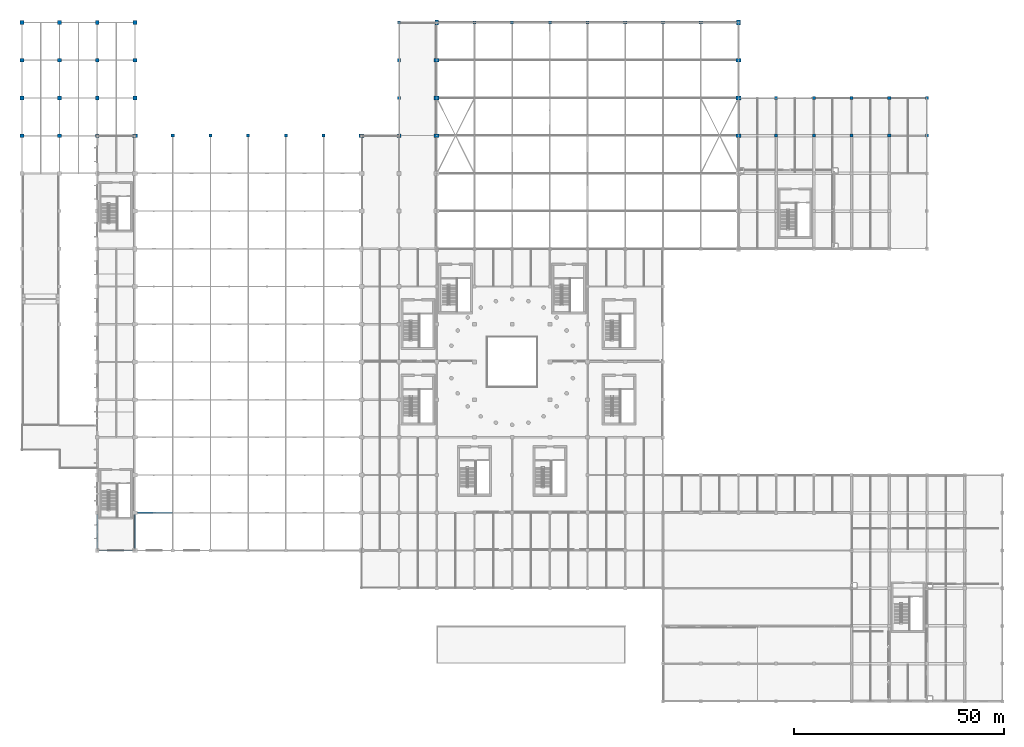
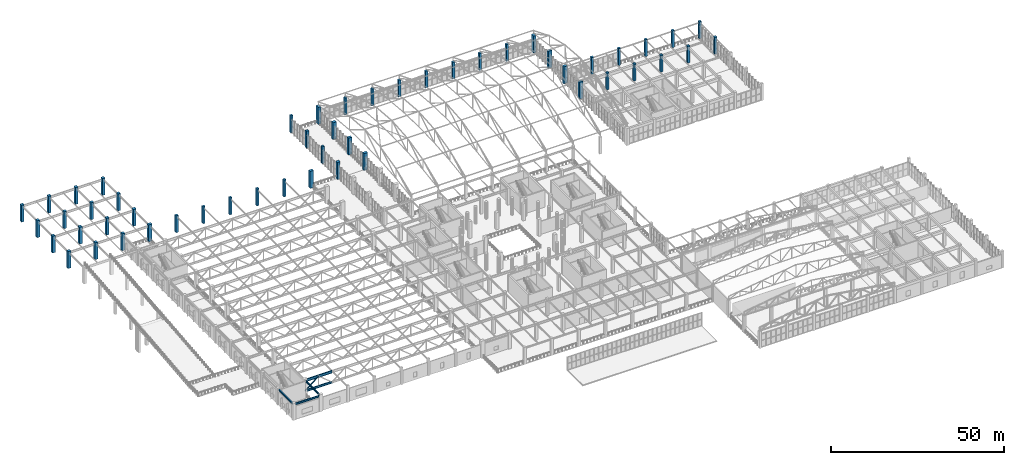
# One storey, part 3 of 223: 51 columns, 5 beams, 1 member.
"""IFC4 building model written with IfcOpenShell, lengths in metres."""

from ifc_helpers import new_model, si_unit, direction, frame, origin, origin_2d, place, context, subcontext, project, spatial, rectangle, hollow_rectangle, i_section, extrude, material, material_profile, profile_set, type_object, element, save


model = new_model("IFC4")

# Units and contexts
model_context = context("Model", 3, precision=1e-05, world=origin(), true_north=direction((0.0, 1.0)))
body_context = subcontext(model_context, "Body", "Model", "MODEL_VIEW")
ifc_project = project(units=[si_unit("LENGTHUNIT", "METRE"), si_unit("AREAUNIT", "SQUARE_METRE"), si_unit("VOLUMEUNIT", "CUBIC_METRE"), si_unit("PLANEANGLEUNIT", "RADIAN"), si_unit("MASSUNIT", "GRAM", prefix="KILO")], contexts=[model_context])

# Site, building, storey
site_placement = place(None, origin())
site = spatial("IfcSite", under=ifc_project, at=site_placement, CompositionType="ELEMENT")
building_placement = place(site_placement, origin())
building = spatial("IfcBuilding", under=site, at=building_placement, Name="Dornveld Trade and Exhibition Forum", CompositionType="ELEMENT")
storey_placement = place(building_placement, frame((0.0, 0.0, 6.0)))
storey = spatial("IfcBuildingStorey", under=building, at=storey_placement, Name="L01", CompositionType="ELEMENT", Elevation=6.0)

# Columns
ifc_material_1 = material(Name="Precast concrete C50/60", Category="concrete")
ifc_material_profile_1 = material_profile(ifc_material_1, rectangle(XDim=0.75, YDim=0.75, at=origin_2d()), Name="PC-COL 750x750")
ifc_profile_set_1 = profile_set([ifc_material_profile_1], Name="Precast concrete C50/60")
column_type_1 = type_object("IfcColumnType", Name="COL-PC750", PredefinedType="COLUMN", material=ifc_profile_set_1)
for number, where, z_axis, x_axis, name in (
    (1, (90.0, 144.0, 0.0), (0.0, 0.0, 1.0), (1.0, 0.0, 0.0), "L01 column (90.0, 144.0)"),
    (2, (90.0, 153.0, 0.0), (0.0, 0.0, 1.0), (1.0, 0.0, 0.0), "L01 column (90.0, 153.0)"),
    (3, (90.0, 162.0, 0.0), (0.0, 0.0, 1.0), (1.0, 0.0, 0.0), "L01 column (90.0, 162.0)"),
    (4, (180.0, 135.0, 0.0), (0.0, 0.0, 1.0), (1.0, 0.0, 0.0), "L01 column (180.0, 135.0)"),
    (5, (180.0, 144.0, 0.0), (0.0, 0.0, 1.0), (1.0, 0.0, 0.0), "L01 column (180.0, 144.0)"),
    (6, (189.0, 135.0, 0.0), (0.0, 0.0, 1.0), (1.0, 0.0, 0.0), "L01 column (189.0, 135.0)"),
    (7, (189.0, 144.0, 0.0), (0.0, 0.0, 1.0), (1.0, 0.0, 0.0), "L01 column (189.0, 144.0)"),
    (8, (198.0, 135.0, 0.0), (0.0, 0.0, 1.0), (1.0, 0.0, 0.0), "L01 column (198.0, 135.0)"),
    (9, (198.0, 144.0, 0.0), (0.0, 0.0, 1.0), (1.0, 0.0, 0.0), "L01 column (198.0, 144.0)"),
    (10, (207.0, 135.0, 0.0), (0.0, 0.0, 1.0), (1.0, 0.0, 0.0), "L01 column (207.0, 135.0)"),
    (11, (207.0, 144.0, 0.0), (0.0, 0.0, 1.0), (1.0, 0.0, 0.0), "L01 column (207.0, 144.0)"),
    (12, (216.0, 135.0, 0.0), (0.0, 0.0, 1.0), (1.0, 0.0, 0.0), "L01 column (216.0, 135.0)"),
    (13, (216.0, 144.0, 0.0), (0.0, 0.0, 1.0), (1.0, 0.0, 0.0), "L01 column (216.0, 144.0)"),
):
    element("IfcColumn", number, at=place(storey_placement, frame(where, z_axis=z_axis, x_axis=x_axis)), inside=storey, type_object=column_type_1, Name=name, PredefinedType="COLUMN", context=body_context, shape_type="SweptSolid", body=[
        extrude(rectangle(XDim=0.75, YDim=0.75, at=origin_2d()), origin(), (0.0, 0.0, 1.0), 6.0),
    ])
ifc_material_2 = material(Name="Precast concrete C50/60", Category="concrete")
ifc_material_profile_2 = material_profile(ifc_material_2, rectangle(XDim=0.89990234375, YDim=0.89990234375, at=origin_2d()), Name="PC-COL 900x900")
ifc_profile_set_2 = profile_set([ifc_material_profile_2], Name="Precast concrete C50/60")
column_type_2 = type_object("IfcColumnType", Name="COL-PC900", PredefinedType="COLUMN", material=ifc_profile_set_2)
for number, where, z_axis, x_axis, name in (
    (14, (0.0, 135.0, 0.0), (0.0, 0.0, 1.0), (1.0, 0.0, 0.0), "L01 column (0.0, 135.0)"),
    (15, (0.0, 144.0, 0.0), (0.0, 0.0, 1.0), (1.0, 0.0, 0.0), "L01 column (0.0, 144.0)"),
    (16, (0.0, 153.0, 0.0), (0.0, 0.0, 1.0), (1.0, 0.0, 0.0), "L01 column (0.0, 153.0)"),
    (17, (0.0, 162.0, 0.0), (0.0, 0.0, 1.0), (1.0, 0.0, 0.0), "L01 column (0.0, 162.0)"),
    (18, (9.0, 135.0, 0.0), (0.0, 0.0, 1.0), (1.0, 0.0, 0.0), "L01 column (9.0, 135.0)"),
    (19, (9.0, 144.0, 0.0), (0.0, 0.0, 1.0), (1.0, 0.0, 0.0), "L01 column (9.0, 144.0)"),
    (20, (9.0, 153.0, 0.0), (0.0, 0.0, 1.0), (1.0, 0.0, 0.0), "L01 column (9.0, 153.0)"),
    (21, (9.0, 162.0, 0.0), (0.0, 0.0, 1.0), (1.0, 0.0, 0.0), "L01 column (9.0, 162.0)"),
    (22, (18.0, 135.0, 0.0), (0.0, 0.0, 1.0), (1.0, 0.0, 0.0), "L01 column (18.0, 135.0)"),
    (23, (18.0, 144.0, 0.0), (0.0, 0.0, 1.0), (1.0, 0.0, 0.0), "L01 column (18.0, 144.0)"),
    (24, (18.0, 153.0, 0.0), (0.0, 0.0, 1.0), (1.0, 0.0, 0.0), "L01 column (18.0, 153.0)"),
    (25, (18.0, 162.0, 0.0), (0.0, 0.0, 1.0), (1.0, 0.0, 0.0), "L01 column (18.0, 162.0)"),
    (26, (27.0, 144.0, 0.0), (0.0, 0.0, 1.0), (1.0, 0.0, 0.0), "L01 column (27.0, 144.0)"),
    (27, (27.0, 153.0, 0.0), (0.0, 0.0, 1.0), (1.0, 0.0, 0.0), "L01 column (27.0, 153.0)"),
    (28, (27.0, 162.0, 0.0), (0.0, 0.0, 1.0), (1.0, 0.0, 0.0), "L01 column (27.0, 162.0)"),
    (29, (90.0, 135.0, 0.0), (0.0, 0.0, 1.0), (1.0, 0.0, 0.0), "L01 column (90.0, 135.0)"),
):
    element("IfcColumn", number, at=place(storey_placement, frame(where, z_axis=z_axis, x_axis=x_axis)), inside=storey, type_object=column_type_2, Name=name, PredefinedType="COLUMN", context=body_context, shape_type="SweptSolid", body=[
        extrude(rectangle(XDim=0.89990234375, YDim=0.89990234375, at=origin_2d()), origin(), (0.0, 0.0, 1.0), 6.0),
    ])
ifc_material_3 = material(Name="Precast concrete C50/60", Category="concrete")
ifc_material_profile_3 = material_profile(ifc_material_3, rectangle(XDim=1.199951171875, YDim=0.89990234375, at=origin_2d()), Name="PC-PIER 1200x900")
ifc_profile_set_3 = profile_set([ifc_material_profile_3], Name="Precast concrete C50/60")
column_type_3 = type_object("IfcColumnType", Name="COL-PIER1200", PredefinedType="COLUMN", material=ifc_profile_set_3)
for number, where, z_axis, x_axis, name in (
    (30, (27.0, 135.0, 0.0), (0.0, 0.0, 1.0), (1.0, 0.0, 0.0), "L01 column (27.0, 135.0)"),
    (31, (81.0, 135.0, 0.0), (0.0, 0.0, 1.0), (1.0, 0.0, 0.0), "L01 column (81.0, 135.0)"),
    (32, (99.0, 135.0, 0.0), (0.0, 0.0, 1.0), (1.0, 0.0, 0.0), "L01 column (99.0, 135.0)"),
    (33, (99.0, 144.0, 0.0), (0.0, 0.0, 1.0), (1.0, 0.0, 0.0), "L01 column (99.0, 144.0)"),
    (34, (99.0, 153.0, 0.0), (0.0, 0.0, 1.0), (1.0, 0.0, 0.0), "L01 column (99.0, 153.0)"),
    (35, (99.0, 162.0, 0.0), (0.0, 0.0, 1.0), (0.0, 1.0, 0.0), "L01 column (99.0, 162.0)"),
    (36, (171.0, 135.0, 0.0), (0.0, 0.0, 1.0), (1.0, 0.0, 0.0), "L01 column (171.0, 135.0)"),
    (37, (171.0, 144.0, 0.0), (0.0, 0.0, 1.0), (1.0, 0.0, 0.0), "L01 column (171.0, 144.0)"),
    (38, (171.0, 153.0, 0.0), (0.0, 0.0, 1.0), (1.0, 0.0, 0.0), "L01 column (171.0, 153.0)"),
    (39, (171.0, 162.0, 0.0), (0.0, 0.0, 1.0), (0.0, 1.0, 0.0), "L01 column (171.0, 162.0)"),
):
    element("IfcColumn", number, at=place(storey_placement, frame(where, z_axis=z_axis, x_axis=x_axis)), inside=storey, type_object=column_type_3, Name=name, PredefinedType="COLUMN", context=body_context, shape_type="SweptSolid", body=[
        extrude(rectangle(XDim=1.199951171875, YDim=0.89990234375, at=origin_2d()), origin(), (0.0, 0.0, 1.0), 6.0),
    ])
ifc_material_4 = material(Name="Precast concrete C50/60", Category="concrete")
ifc_material_profile_4 = material_profile(ifc_material_4, rectangle(XDim=0.75, YDim=0.75, at=origin_2d()), Name="PC-COL 750x750")
ifc_profile_set_4 = profile_set([ifc_material_profile_4], Name="Precast concrete C50/60")
column_type_4 = type_object("IfcColumnType", Name="COL-PILASTER750", PredefinedType="PILASTER", material=ifc_profile_set_4)
for number, where, z_axis, x_axis, name in (
    (40, (36.0, 135.0, 0.0), (0.0, 0.0, 1.0), (1.0, 0.0, 0.0), "L01 column (36.0, 135.0)"),
    (41, (45.0, 135.0, 0.0), (0.0, 0.0, 1.0), (1.0, 0.0, 0.0), "L01 column (45.0, 135.0)"),
    (42, (54.0, 135.0, 0.0), (0.0, 0.0, 1.0), (1.0, 0.0, 0.0), "L01 column (54.0, 135.0)"),
    (43, (63.0, 135.0, 0.0), (0.0, 0.0, 1.0), (1.0, 0.0, 0.0), "L01 column (63.0, 135.0)"),
    (44, (72.0, 135.0, 0.0), (0.0, 0.0, 1.0), (1.0, 0.0, 0.0), "L01 column (72.0, 135.0)"),
    (45, (108.0, 162.0, 0.0), (0.0, 0.0, 1.0), (1.0, 0.0, 0.0), "L01 column (108.0, 162.0)"),
    (46, (117.0, 162.0, 0.0), (0.0, 0.0, 1.0), (1.0, 0.0, 0.0), "L01 column (117.0, 162.0)"),
    (47, (126.0, 162.0, 0.0), (0.0, 0.0, 1.0), (1.0, 0.0, 0.0), "L01 column (126.0, 162.0)"),
    (48, (135.0, 162.0, 0.0), (0.0, 0.0, 1.0), (1.0, 0.0, 0.0), "L01 column (135.0, 162.0)"),
    (49, (144.0, 162.0, 0.0), (0.0, 0.0, 1.0), (1.0, 0.0, 0.0), "L01 column (144.0, 162.0)"),
    (50, (153.0, 162.0, 0.0), (0.0, 0.0, 1.0), (1.0, 0.0, 0.0), "L01 column (153.0, 162.0)"),
    (51, (162.0, 162.0, 0.0), (0.0, 0.0, 1.0), (1.0, 0.0, 0.0), "L01 column (162.0, 162.0)"),
):
    element("IfcColumn", number, at=place(storey_placement, frame(where, z_axis=z_axis, x_axis=x_axis)), inside=storey, type_object=column_type_4, Name=name, PredefinedType="PILASTER", context=body_context, shape_type="SweptSolid", body=[
        extrude(rectangle(XDim=0.75, YDim=0.75, at=origin_2d()), origin(), (0.0, 0.0, 1.0), 6.0),
    ])

# Beams
ifc_material_5 = material(Name="Steel S355J2", Category="steel")
ifc_material_profile_5 = material_profile(ifc_material_5, i_section(OverallWidth=0.300048828125, OverallDepth=0.64990234375, WebThickness=0.01611328125, FlangeThickness=0.031005859375, FilletRadius=0.027099609375, at=origin_2d()), Name="HEB 650")
ifc_profile_set_5 = profile_set([ifc_material_profile_5], Name="Steel S355J2")
beam_type_1 = type_object("IfcBeamType", Name="BM-GIR-HEB650", PredefinedType="USERDEFINED", material=ifc_profile_set_5)
beam_1_placement = place(storey_placement, frame((18.446044921875, 36.0, 5.324951171875), z_axis=(1.0, 0.0, 0.0), x_axis=(0.0, 1.0, 0.0)))
element("IfcBeam", 52, at=beam_1_placement, inside=storey, type_object=beam_type_1, Name="L01 X-girder 1117", ObjectType="GIRDER", PredefinedType="USERDEFINED", context=body_context, shape_type="SweptSolid", body=[
    extrude(i_section(OverallWidth=0.300048828125, OverallDepth=0.64990234375, WebThickness=0.01611328125, FlangeThickness=0.031005859375, FilletRadius=0.027099609375, at=origin_2d()), origin(), (0.0, 0.0, 1.0), 7.9580078125),
])
for number, where, z_axis, x_axis, name in (
    (53, (18.0, 36.446044921875, 5.324951171875), (0.0, 1.0, 0.0), (-1.0, 0.0, 0.0), "L01 Y-girder 1125"),
    (54, (27.0, 36.446044921875, 5.31298828125), (0.0, 1.0, 0.0), (-1.0, 0.0, 0.0), "L01 Y-girder 1135"),
):
    element("IfcBeam", number, at=place(storey_placement, frame(where, z_axis=z_axis, x_axis=x_axis)), inside=storey, type_object=beam_type_1, Name=name, ObjectType="GIRDER", PredefinedType="USERDEFINED", context=body_context, shape_type="SweptSolid", body=[
        extrude(i_section(OverallWidth=0.300048828125, OverallDepth=0.64990234375, WebThickness=0.01611328125, FlangeThickness=0.031005859375, FilletRadius=0.027099609375, at=origin_2d()), origin(), (0.0, 0.0, 1.0), 8.10791015625),
    ])
ifc_material_6 = material(Name="Steel S355J2", Category="steel")
ifc_material_profile_6 = material_profile(ifc_material_6, i_section(OverallWidth=0.303955078125, OverallDepth=0.716064453125, WebThickness=0.02099609375, FlangeThickness=0.0400390625, FilletRadius=0.027099609375, at=origin_2d()), Name="HEM 700")
ifc_profile_set_6 = profile_set([ifc_material_profile_6], Name="Steel S355J2")
beam_type_2 = type_object("IfcBeamType", Name="BM-TG-BOT700", PredefinedType="USERDEFINED", material=ifc_profile_set_6)
beam_2_placement = place(storey_placement, frame((27.595947265625, 45.0, 1.5), z_axis=(1.0, 0.0, 0.0), x_axis=(0.0, 1.0, 0.0)))
element("IfcBeam", 55, at=beam_2_placement, inside=storey, type_object=beam_type_2, Name="Hall 3 transfer truss 1 bottom chord 1", ObjectType="GIRDER", PredefinedType="USERDEFINED", context=body_context, shape_type="SweptSolid", body=[
    extrude(i_section(OverallWidth=0.303955078125, OverallDepth=0.716064453125, WebThickness=0.02099609375, FlangeThickness=0.0400390625, FilletRadius=0.027099609375, at=origin_2d()), origin(), (0.0, 0.0, 1.0), 8.404052734375),
])
ifc_material_7 = material(Name="Steel S355J2", Category="steel")
ifc_material_profile_7 = material_profile(ifc_material_7, i_section(OverallWidth=0.302001953125, OverallDepth=0.909912109375, WebThickness=0.02099609375, FlangeThickness=0.0400390625, FilletRadius=0.030029296875, at=origin_2d()), Name="HEM 900")
ifc_profile_set_7 = profile_set([ifc_material_profile_7], Name="Steel S355J2")
beam_type_3 = type_object("IfcBeamType", Name="BM-TG-TOP900", PredefinedType="USERDEFINED", material=ifc_profile_set_7)
beam_3_placement = place(storey_placement, frame((27.595947265625, 45.0, 5.18505859375), z_axis=(1.0, 0.0, 0.0), x_axis=(0.0, 1.0, 0.0)))
element("IfcBeam", 56, at=beam_3_placement, inside=storey, type_object=beam_type_3, Name="Hall 3 transfer truss 1 top chord 1", ObjectType="GIRDER", PredefinedType="USERDEFINED", context=body_context, shape_type="SweptSolid", body=[
    extrude(i_section(OverallWidth=0.302001953125, OverallDepth=0.909912109375, WebThickness=0.02099609375, FlangeThickness=0.0400390625, FilletRadius=0.030029296875, at=origin_2d()), origin(), (0.0, 0.0, 1.0), 8.404052734375),
])

# Member
ifc_material_8 = material(Name="Steel S355J2", Category="steel")
ifc_material_profile_8 = material_profile(ifc_material_8, hollow_rectangle(XDim=0.300048828125, YDim=0.300048828125, WallThickness=0.01611328125, at=origin_2d()), Name="SHS 300x300x16")
ifc_profile_set_8 = profile_set([ifc_material_profile_8], Name="Steel S355J2")
member_type = type_object("IfcMemberType", Name="MEM-XFER-WEB", PredefinedType="BRACE", material=ifc_profile_set_8)
member_placement = place(storey_placement, frame((27.0, 45.0, 1.5), z_axis=(0.773684181611, 0.0, 0.633571453843), x_axis=(0.0, 1.0, 0.0)))
element("IfcMember", 57, at=member_placement, inside=storey, type_object=member_type, Name="Transfer truss 1 web 1", PredefinedType="BRACE", context=body_context, shape_type="SweptSolid", body=[
    extrude(hollow_rectangle(XDim=0.300048828125, YDim=0.300048828125, WallThickness=0.01611328125, at=origin_2d()), origin(), (0.0, 0.0, 1.0), 5.81640625),
])

save(model, "model.ifc")
